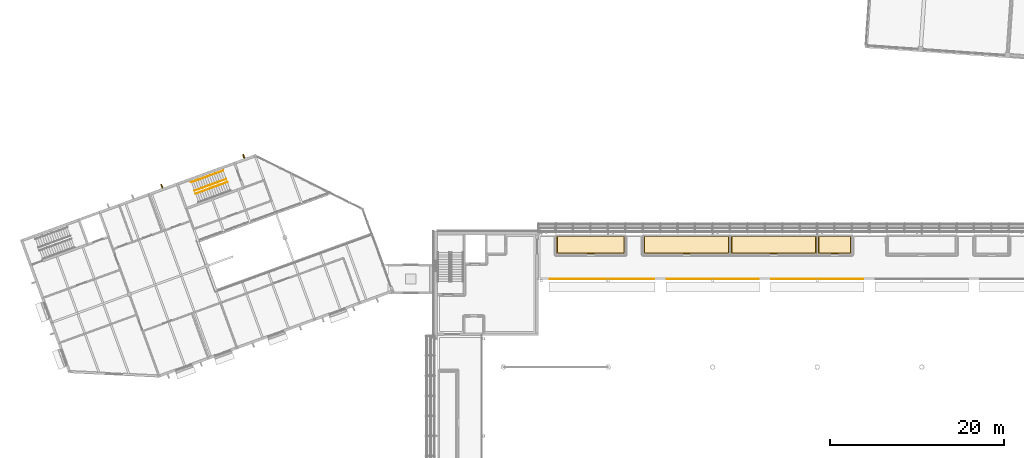
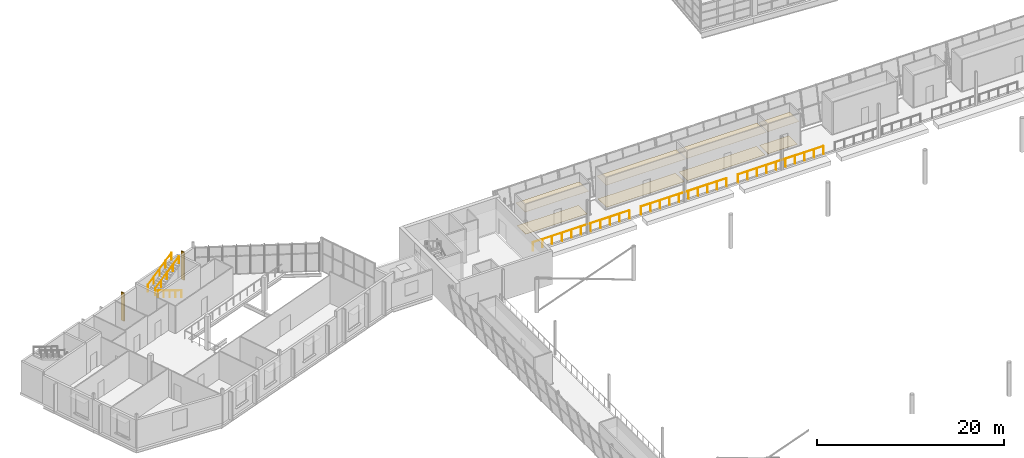
# One storey, part 104 of 115: 8 coverings, 6 railings, 2 shading devices.
"""IFC4 building model written with IfcOpenShell, lengths in metres."""

from ifc_helpers import new_model, si_unit, direction, frame, origin, origin_2d, place, context, subcontext, project, spatial, polyline, circle, outline, extrude, material, layer, layer_set, type_object, element, save


model = new_model("IFC4")

# Units and contexts
model_context = context("Model", 3, precision=1e-05, world=origin(), true_north=direction((0.0, 1.0)))
body_context = subcontext(model_context, "Body", "Model", "MODEL_VIEW")
ifc_project = project(units=[si_unit("LENGTHUNIT", "METRE"), si_unit("AREAUNIT", "SQUARE_METRE"), si_unit("VOLUMEUNIT", "CUBIC_METRE"), si_unit("PLANEANGLEUNIT", "RADIAN"), si_unit("MASSUNIT", "GRAM", prefix="KILO")], contexts=[model_context])

# Site, building, storey
site_placement = place(None, origin())
site = spatial("IfcSite", under=ifc_project, at=site_placement, CompositionType="ELEMENT")
building_placement = place(site_placement, origin())
building = spatial("IfcBuilding", under=site, at=building_placement, Name="Windward Yard Aquatics Centre", CompositionType="ELEMENT")
storey_placement = place(building_placement, frame((0.0, 0.0, 5.0)))
storey = spatial("IfcBuildingStorey", under=building, at=storey_placement, Name="L01", CompositionType="ELEMENT", Elevation=5.0)

# Railings
ifc_material_1 = material(Name="Stainless steel 1.4401", Category="steel")
railing_type_1 = type_object("IfcRailingType", Name="F handrail 900 stainless steel", PredefinedType="HANDRAIL", material=ifc_material_1)
railing_1_placement = place(storey_placement, frame((28.324951171875, 101.620361328125, 0.146728515625)))
element("IfcRailing", 1, at=railing_1_placement, inside=storey, type_object=railing_type_1, Name="F.RL.H.L01.S2.12", PredefinedType="HANDRAIL", context=body_context, shape_type="SweptSolid", body=[
    extrude(circle(Radius=0.02099609375, at=origin_2d()), frame((0.0, 0.0, 0.87890625), z_axis=(-0.832413148769, -0.302996620695, 0.463984264392), x_axis=(0.342043081867, -0.939684271523, 0.0)), (0.0, 0.0, 1.0), 4.42529296875),
    extrude(circle(Radius=0.01611328125, at=origin_2d()), origin(), (0.0, 0.0, 1.0), 0.85791015625),
    extrude(circle(Radius=0.01611328125, at=origin_2d()), frame((-0.9208984375, -0.335205078125, 0.51318359375)), (0.0, 0.0, 1.0), 0.85791015625),
    extrude(circle(Radius=0.01611328125, at=origin_2d()), frame((-1.841796875, -0.67041015625, 1.026611328125)), (0.0, 0.0, 1.0), 0.85791015625),
    extrude(circle(Radius=0.01611328125, at=origin_2d()), frame((-2.7626953125, -1.005615234375, 1.5400390625)), (0.0, 0.0, 1.0), 0.85791015625),
    extrude(circle(Radius=0.01611328125, at=origin_2d()), frame((-3.68359375, -1.3408203125, 2.05322265625)), (0.0, 0.0, 1.0), 0.85791015625),
])
for number, where, name in (
    (2, (24.51806640625, 100.617919921875, 2.3466796875), "F.RL.H.L01.S2.21"),
    (3, (24.162353515625, 101.59521484375, 2.3466796875), "F.RL.H.L01.S2.22"),
):
    element("IfcRailing", number, at=place(storey_placement, frame(where)), inside=storey, type_object=railing_type_1, Name=name, PredefinedType="HANDRAIL", context=body_context, shape_type="SweptSolid", body=[
        extrude(circle(Radius=0.02099609375, at=origin_2d()), frame((0.0, 0.0, 0.87890625), z_axis=(0.832427062876, 0.302946513935, 0.463992020068), x_axis=(-0.34198808625, 0.939704287988, 0.0)), (0.0, 0.0, 1.0), 4.425048828125),
        extrude(circle(Radius=0.01611328125, at=origin_2d()), origin(), (0.0, 0.0, 1.0), 0.85791015625),
        extrude(circle(Radius=0.01611328125, at=origin_2d()), frame((0.9208984375, 0.335205078125, 0.51318359375)), (0.0, 0.0, 1.0), 0.85791015625),
        extrude(circle(Radius=0.01611328125, at=origin_2d()), frame((1.841796875, 0.67041015625, 1.026611328125)), (0.0, 0.0, 1.0), 0.85791015625),
        extrude(circle(Radius=0.01611328125, at=origin_2d()), frame((2.7626953125, 1.00537109375, 1.5400390625)), (0.0, 0.0, 1.0), 0.85791015625),
        extrude(circle(Radius=0.01611328125, at=origin_2d()), frame((3.68359375, 1.340576171875, 2.05322265625)), (0.0, 0.0, 1.0), 0.85791015625),
    ])

# Shading devices
ifc_material_2 = material(Name="Aluminium fin, powder coated", Category="aluminium")
shading_device_type = type_object("IfcShadingDeviceType", Name="F vertical fin 150x450", PredefinedType="USERDEFINED", material=ifc_material_2)
shading_device_1_placement = place(storey_placement, origin())
element("IfcShadingDevice", 4, at=shading_device_1_placement, inside=storey, type_object=shading_device_type, Name="Vertical fin F.WL.L01.E07.1.1", ObjectType="FIN", PredefinedType="USERDEFINED", context=body_context, shape_type="SweptSolid", body=[
    extrude(outline(polyline([(30.056640625, 104.7568359375), (30.197509765625, 104.80810546875), (30.351318359375, 104.38525390625), (30.21044921875, 104.333984375), (30.056640625, 104.7568359375)])), origin(), (0.0, 0.0, 1.0), 3.653076171875),
])
shading_device_2_placement = place(storey_placement, origin())
element("IfcShadingDevice", 5, at=shading_device_2_placement, inside=storey, type_object=shading_device_type, Name="Vertical fin F.WL.L01.E08.1.1", ObjectType="FIN", PredefinedType="USERDEFINED", context=body_context, shape_type="SweptSolid", body=[
    extrude(outline(polyline([(20.65966796875, 101.336669921875), (20.800537109375, 101.387939453125), (20.95458984375, 100.965087890625), (20.813720703125, 100.913818359375), (20.65966796875, 101.336669921875)])), origin(), (0.0, 0.0, 1.0), 3.653076171875),
])

# Coverings
ifc_material_3 = material(Name="Polished screed")
ifc_layer_1 = layer(ifc_material_3, 0.0400390625)
ifc_layer_set_1 = layer_set([ifc_layer_1], Name="H Floor Finish Screed 40")
covering_type_1 = type_object("IfcCoveringType", Name="H Floor Finish Screed 40", PredefinedType="FLOORING", material=ifc_layer_set_1)
covering_1_placement = place(storey_placement, origin())
element("IfcCovering", 6, at=covering_1_placement, inside=storey, type_object=covering_type_1, Name="Ticket Office floor finish", PredefinedType="FLOORING", context=body_context, shape_type="SweptSolid", body=[
    extrude(outline(polyline([(66.199951171875, 93.5), (66.199951171875, 95.35009765625), (73.800048828125, 95.35009765625), (73.800048828125, 93.5), (66.199951171875, 93.5)])), origin(), (0.0, 0.0, 1.0), 0.02001953125),
])
ifc_material_4 = material(Name="Ceramic tile")
ifc_layer_2 = layer(ifc_material_4, 0.02001953125)
ifc_layer_set_2 = layer_set([ifc_layer_2], Name="H Floor Finish Tile 20")
covering_type_2 = type_object("IfcCoveringType", Name="H Floor Finish Tile 20", PredefinedType="FLOORING", material=ifc_layer_set_2)
covering_2_placement = place(storey_placement, origin())
element("IfcCovering", 7, at=covering_2_placement, inside=storey, type_object=covering_type_2, Name="Spectator WC Women floor finish", PredefinedType="FLOORING", context=body_context, shape_type="SweptSolid", body=[
    extrude(outline(polyline([(76.199951171875, 93.5), (76.199951171875, 95.35009765625), (85.800048828125, 95.35009765625), (85.800048828125, 93.5), (76.199951171875, 93.5)])), origin(), (0.0, 0.0, 1.0), 0.02001953125),
])
covering_3_placement = place(storey_placement, origin())
element("IfcCovering", 8, at=covering_3_placement, inside=storey, type_object=covering_type_2, Name="Spectator WC Men floor finish", PredefinedType="FLOORING", context=body_context, shape_type="SweptSolid", body=[
    extrude(outline(polyline([(86.199951171875, 93.5), (86.199951171875, 95.35009765625), (95.800048828125, 95.35009765625), (95.800048828125, 93.5), (86.199951171875, 93.5)])), origin(), (0.0, 0.0, 1.0), 0.02001953125),
])
covering_4_placement = place(storey_placement, origin())
element("IfcCovering", 9, at=covering_4_placement, inside=storey, type_object=covering_type_2, Name="Accessible WC floor finish", PredefinedType="FLOORING", context=body_context, shape_type="SweptSolid", body=[
    extrude(outline(polyline([(96.199951171875, 93.5), (96.199951171875, 95.35009765625), (99.800048828125, 95.35009765625), (99.800048828125, 93.5), (96.199951171875, 93.5)])), origin(), (0.0, 0.0, 1.0), 0.02001953125),
])

# Railings
ifc_material_5 = material(Name="Stainless steel 1.4529", Category="steel")
railing_type_2 = type_object("IfcRailingType", Name="H Guard Steel 1100", PredefinedType="GUARDRAIL", material=ifc_material_5)
railing_2_placement = place(storey_placement, frame((65.35009765625, 90.490478515625, 0.0)))
element("IfcRailing", 10, at=railing_2_placement, inside=storey, type_object=railing_type_2, Name="Concourse edge guard N2", PredefinedType="GUARDRAIL", context=body_context, shape_type="SweptSolid", body=[
    extrude(circle(Radius=0.02392578125, at=origin_2d()), frame((0.0, 0.0, 1.076171875), z_axis=(1.0, 0.0, 0.0), x_axis=(0.0, 1.0, 0.0)), (0.0, 0.0, 1.0), 11.9248046875),
    extrude(circle(Radius=0.02099609375, at=origin_2d()), origin(), (0.0, 0.0, 1.0), 1.052001953125),
    extrude(circle(Radius=0.02099609375, at=origin_2d()), frame((1.1923828125, 0.0, 0.0)), (0.0, 0.0, 1.0), 1.052001953125),
    extrude(circle(Radius=0.02099609375, at=origin_2d()), frame((2.385009765625, 0.0, 0.0)), (0.0, 0.0, 1.0), 1.052001953125),
    extrude(circle(Radius=0.02099609375, at=origin_2d()), frame((3.577392578125, 0.0, 0.0)), (0.0, 0.0, 1.0), 1.052001953125),
    extrude(circle(Radius=0.02099609375, at=origin_2d()), frame((4.77001953125, 0.0, 0.0)), (0.0, 0.0, 1.0), 1.052001953125),
    extrude(circle(Radius=0.02099609375, at=origin_2d()), frame((5.96240234375, 0.0, 0.0)), (0.0, 0.0, 1.0), 1.052001953125),
    extrude(circle(Radius=0.02099609375, at=origin_2d()), frame((7.15478515625, 0.0, 0.0)), (0.0, 0.0, 1.0), 1.052001953125),
    extrude(circle(Radius=0.02099609375, at=origin_2d()), frame((8.347412109375, 0.0, 0.0)), (0.0, 0.0, 1.0), 1.052001953125),
    extrude(circle(Radius=0.02099609375, at=origin_2d()), frame((9.539794921875, 0.0, 0.0)), (0.0, 0.0, 1.0), 1.052001953125),
    extrude(circle(Radius=0.02099609375, at=origin_2d()), frame((10.732421875, 0.0, 0.0)), (0.0, 0.0, 1.0), 1.052001953125),
    extrude(circle(Radius=0.02099609375, at=origin_2d()), frame((11.9248046875, 0.0, 0.0)), (0.0, 0.0, 1.0), 1.052001953125),
])
for number, where, name in (
    (11, (78.72509765625, 90.490478515625, 0.0), "Concourse edge guard N3"),
    (12, (90.72509765625, 90.490478515625, 0.0), "Concourse edge guard N4"),
):
    element("IfcRailing", number, at=place(storey_placement, frame(where)), inside=storey, type_object=railing_type_2, Name=name, PredefinedType="GUARDRAIL", context=body_context, shape_type="SweptSolid", body=[
        extrude(circle(Radius=0.02392578125, at=origin_2d()), frame((0.0, 0.0, 1.076171875), z_axis=(1.0, 0.0, 0.0), x_axis=(0.0, 1.0, 0.0)), (0.0, 0.0, 1.0), 10.5498046875),
        extrude(circle(Radius=0.02099609375, at=origin_2d()), origin(), (0.0, 0.0, 1.0), 1.052001953125),
        extrude(circle(Radius=0.02099609375, at=origin_2d()), frame((1.172119140625, 0.0, 0.0)), (0.0, 0.0, 1.0), 1.052001953125),
        extrude(circle(Radius=0.02099609375, at=origin_2d()), frame((2.344482421875, 0.0, 0.0)), (0.0, 0.0, 1.0), 1.052001953125),
        extrude(circle(Radius=0.02099609375, at=origin_2d()), frame((3.5166015625, 0.0, 0.0)), (0.0, 0.0, 1.0), 1.052001953125),
        extrude(circle(Radius=0.02099609375, at=origin_2d()), frame((4.688720703125, 0.0, 0.0)), (0.0, 0.0, 1.0), 1.052001953125),
        extrude(circle(Radius=0.02099609375, at=origin_2d()), frame((5.861083984375, 0.0, 0.0)), (0.0, 0.0, 1.0), 1.052001953125),
        extrude(circle(Radius=0.02099609375, at=origin_2d()), frame((7.033203125, 0.0, 0.0)), (0.0, 0.0, 1.0), 1.052001953125),
        extrude(circle(Radius=0.02099609375, at=origin_2d()), frame((8.205322265625, 0.0, 0.0)), (0.0, 0.0, 1.0), 1.052001953125),
        extrude(circle(Radius=0.02099609375, at=origin_2d()), frame((9.377685546875, 0.0, 0.0)), (0.0, 0.0, 1.0), 1.052001953125),
        extrude(circle(Radius=0.02099609375, at=origin_2d()), frame((10.5498046875, 0.0, 0.0)), (0.0, 0.0, 1.0), 1.052001953125),
    ])

# Coverings
ifc_material_6 = material(Name="Aluminium plank", Category="aluminium")
ifc_layer_3 = layer(ifc_material_6, 0.02001953125)
ifc_layer_set_3 = layer_set([ifc_layer_3], Name="H Moisture Resistant Ceiling")
covering_type_3 = type_object("IfcCoveringType", Name="H Moisture Resistant Ceiling", PredefinedType="CEILING", material=ifc_layer_set_3)
covering_5_placement = place(storey_placement, frame((0.0, 0.0, 3.0)))
element("IfcCovering", 13, at=covering_5_placement, inside=storey, type_object=covering_type_3, Name="Spectator WC Women ceiling", PredefinedType="CEILING", context=body_context, shape_type="SweptSolid", body=[
    extrude(outline(polyline([(76.075439453125, 93.37548828125), (76.075439453125, 95.3994140625), (85.924560546875, 95.3994140625), (85.924560546875, 93.37548828125), (76.075439453125, 93.37548828125)])), origin(), (0.0, 0.0, 1.0), 0.02001953125),
])
covering_6_placement = place(storey_placement, frame((0.0, 0.0, 3.0)))
element("IfcCovering", 14, at=covering_6_placement, inside=storey, type_object=covering_type_3, Name="Spectator WC Men ceiling", PredefinedType="CEILING", context=body_context, shape_type="SweptSolid", body=[
    extrude(outline(polyline([(86.075439453125, 93.37548828125), (86.075439453125, 95.3994140625), (95.924560546875, 95.3994140625), (95.924560546875, 93.37548828125), (86.075439453125, 93.37548828125)])), origin(), (0.0, 0.0, 1.0), 0.02001953125),
])
covering_7_placement = place(storey_placement, frame((0.0, 0.0, 3.0)))
element("IfcCovering", 15, at=covering_7_placement, inside=storey, type_object=covering_type_3, Name="Accessible WC ceiling", PredefinedType="CEILING", context=body_context, shape_type="SweptSolid", body=[
    extrude(outline(polyline([(96.075439453125, 93.37548828125), (96.075439453125, 95.3994140625), (99.924560546875, 95.3994140625), (99.924560546875, 93.37548828125), (96.075439453125, 93.37548828125)])), origin(), (0.0, 0.0, 1.0), 0.02001953125),
])
ifc_material_7 = material(Name="Mineral fibre tile")
ifc_layer_4 = layer(ifc_material_7, 0.02001953125)
ifc_layer_set_4 = layer_set([ifc_layer_4], Name="H Suspended Ceiling 600 x 600")
covering_type_4 = type_object("IfcCoveringType", Name="H Suspended Ceiling 600 x 600", PredefinedType="CEILING", material=ifc_layer_set_4)
covering_8_placement = place(storey_placement, frame((0.0, 0.0, 3.0)))
element("IfcCovering", 16, at=covering_8_placement, inside=storey, type_object=covering_type_4, Name="Ticket Office ceiling", PredefinedType="CEILING", context=body_context, shape_type="SweptSolid", body=[
    extrude(outline(polyline([(66.075439453125, 93.37548828125), (66.075439453125, 95.3994140625), (73.924560546875, 95.3994140625), (73.924560546875, 93.37548828125), (66.075439453125, 93.37548828125)])), origin(), (0.0, 0.0, 1.0), 0.02001953125),
])

save(model, "model.ifc")
